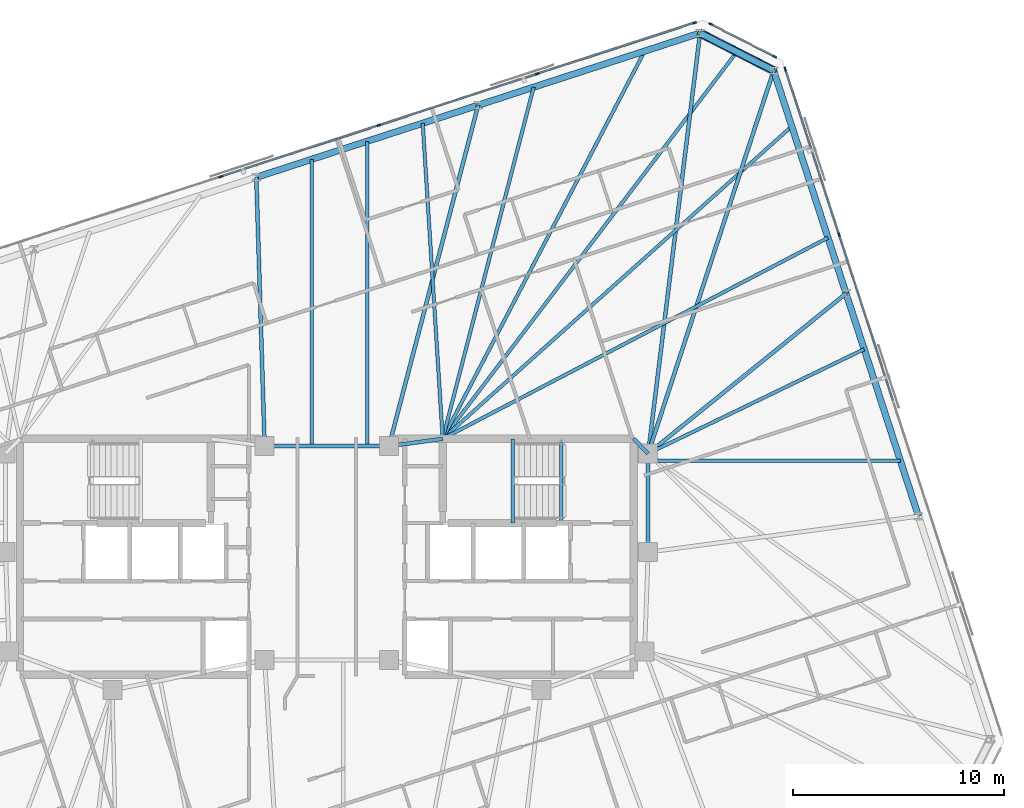
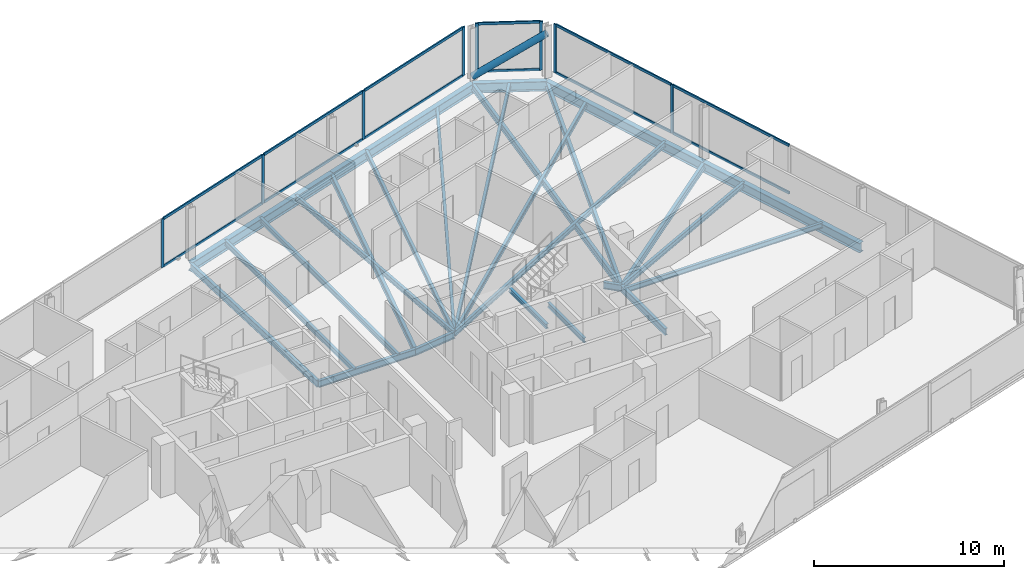
# One storey, part 10 of 20: 26 beams, 21 members, 3 elements without a shape of their own.
"""IFC4 building model written with IfcOpenShell, lengths in metres."""

from ifc_helpers import new_model, si_unit, direction, frame, origin, origin_2d, place, context, subcontext, project, spatial, rectangle, hollow_circle, i_section, extrude, material, material_profile, profile_set, type_object, element, aggregate, save


model = new_model("IFC4")

# Units and contexts
model_context = context("Model", 3, precision=1e-05, world=origin(), true_north=direction((0.0, 1.0)))
body_context = subcontext(model_context, "Body", "Model", "MODEL_VIEW")
ifc_project = project(units=[si_unit("LENGTHUNIT", "METRE"), si_unit("AREAUNIT", "SQUARE_METRE"), si_unit("VOLUMEUNIT", "CUBIC_METRE"), si_unit("PLANEANGLEUNIT", "RADIAN"), si_unit("MASSUNIT", "GRAM", prefix="KILO")], contexts=[model_context])

# Site, building, storey
site_placement = place(None, origin())
site = spatial("IfcSite", under=ifc_project, at=site_placement, CompositionType="ELEMENT")
building_placement = place(site_placement, origin())
building = spatial("IfcBuilding", under=site, at=building_placement, Name="Menara Jurai Vektor", CompositionType="ELEMENT")
storey_placement = place(building_placement, frame((0.0, 0.0, 237.699951171875)))
storey = spatial("IfcBuildingStorey", under=building, at=storey_placement, Name="L63", CompositionType="ELEMENT", Elevation=237.699951171875)

# Curtain wall, members
ifc_material_1 = material(Name="Anodised Pale Aluminium & Low-E Double Glazing", Category="aluminium")
curtain_wall_type = type_object("IfcCurtainWallType", Name="CW-BLK4", PredefinedType="NOTDEFINED", material=ifc_material_1)
curtain_wall_1_placement = place(storey_placement, origin())
curtain_wall_1 = element("IfcCurtainWall", 1, at=curtain_wall_1_placement, inside=storey, type_object=curtain_wall_type, Name="Unitised Curtain Wall L63 F03", PredefinedType="NOTDEFINED")
ifc_material_2 = material(Name="Anodised Pale Aluminium Mullion", Category="aluminium")
ifc_material_profile_1 = material_profile(ifc_material_2, rectangle(XDim=0.080078125, YDim=0.18994140625, at=origin_2d()), Name="ALU MUL 80x190")
ifc_profile_set_1 = profile_set([ifc_material_profile_1], Name="Anodised Pale Aluminium Mullion")
member_type_1 = type_object("IfcMemberType", Name="CW-BLK4-MUL", PredefinedType="MULLION", material=ifc_profile_set_1)
member_1_placement = place(storey_placement, frame((24.31494140625, 15.28271484375, 0.0), z_axis=(0.0, 0.0, 1.0), x_axis=(-0.95105668295, -0.309016481464, 0.0)))
member_1 = element("IfcMember", 2, at=member_1_placement, type_object=member_type_1, Name="CW-04 mullion 4", PredefinedType="MULLION", context=body_context, shape_type="SweptSolid", body=[
    extrude(rectangle(XDim=0.080078125, YDim=0.18994140625, at=origin_2d()), origin(), (0.0, 0.0, 1.0), 3.125),
])
member_2_placement = place(storey_placement, frame((21.75927734375, 23.14794921875, 0.0), z_axis=(0.0, 0.0, 1.0), x_axis=(-0.95105668295, -0.309016481464, 0.0)))
member_2 = element("IfcMember", 3, at=member_2_placement, type_object=member_type_1, Name="CW-04 mullion 5", PredefinedType="MULLION", context=body_context, shape_type="SweptSolid", body=[
    extrude(rectangle(XDim=0.080078125, YDim=0.18994140625, at=origin_2d()), origin(), (0.0, 0.0, 1.0), 3.125),
])

curtain_wall_2_placement = place(storey_placement, origin())
curtain_wall_2 = element("IfcCurtainWall", 4, at=curtain_wall_2_placement, inside=storey, type_object=curtain_wall_type, Name="Unitised Curtain Wall L63 F04", PredefinedType="NOTDEFINED")
member_3_placement = place(storey_placement, frame((21.25537109375, 23.73828125, 0.0), z_axis=(0.0, 0.0, 1.0), x_axis=(-0.453988579828, -0.89100750243, 0.0)))
member_3 = element("IfcMember", 5, at=member_3_placement, type_object=member_type_1, Name="CW-04 mullion 1", PredefinedType="MULLION", context=body_context, shape_type="SweptSolid", body=[
    extrude(rectangle(XDim=0.080078125, YDim=0.18994140625, at=origin_2d()), origin(), (0.0, 0.0, 1.0), 3.125),
])
member_4_placement = place(storey_placement, frame((18.223388671875, 25.282958984375, 0.0), z_axis=(0.0, 0.0, 1.0), x_axis=(-0.453988579828, -0.89100750243, 0.0)))
member_4 = element("IfcMember", 6, at=member_4_placement, type_object=member_type_1, Name="CW-04 mullion 2", PredefinedType="MULLION", context=body_context, shape_type="SweptSolid", body=[
    extrude(rectangle(XDim=0.080078125, YDim=0.18994140625, at=origin_2d()), origin(), (0.0, 0.0, 1.0), 3.125),
])

curtain_wall_3_placement = place(storey_placement, origin())
curtain_wall_3 = element("IfcCurtainWall", 7, at=curtain_wall_3_placement, inside=storey, type_object=curtain_wall_type, Name="Unitised Curtain Wall L63 F05", PredefinedType="NOTDEFINED")
member_5_placement = place(storey_placement, frame((17.44970703125, 25.34375, 0.0), z_axis=(0.0, 0.0, 1.0), x_axis=(0.309017344167, -0.951056402641, 0.0)))
member_5 = element("IfcMember", 8, at=member_5_placement, type_object=member_type_1, Name="CW-04 mullion 1", PredefinedType="MULLION", context=body_context, shape_type="SweptSolid", body=[
    extrude(rectangle(XDim=0.080078125, YDim=0.18994140625, at=origin_2d()), origin(), (0.0, 0.0, 1.0), 3.125),
])
member_6_placement = place(storey_placement, frame((9.982666015625, 22.917724609375, 0.0), z_axis=(0.0, 0.0, 1.0), x_axis=(0.309017344167, -0.951056402641, 0.0)))
member_6 = element("IfcMember", 9, at=member_6_placement, type_object=member_type_1, Name="CW-04 mullion 2", PredefinedType="MULLION", context=body_context, shape_type="SweptSolid", body=[
    extrude(rectangle(XDim=0.080078125, YDim=0.18994140625, at=origin_2d()), origin(), (0.0, 0.0, 1.0), 3.125),
])
member_7_placement = place(storey_placement, frame((2.4775390625, 20.47900390625, 0.0), z_axis=(0.0, 0.0, 1.0), x_axis=(0.309017344167, -0.951056402641, 0.0)))
member_7 = element("IfcMember", 10, at=member_7_placement, type_object=member_type_1, Name="CW-04 mullion 3", PredefinedType="MULLION", context=body_context, shape_type="SweptSolid", body=[
    extrude(rectangle(XDim=0.080078125, YDim=0.18994140625, at=origin_2d()), origin(), (0.0, 0.0, 1.0), 3.125),
])
member_8_placement = place(storey_placement, frame((-5.02783203125, 18.04052734375, 0.0), z_axis=(0.0, 0.0, 1.0), x_axis=(0.309017344167, -0.951056402641, 0.0)))
member_8 = element("IfcMember", 11, at=member_8_placement, type_object=member_type_1, Name="CW-04 mullion 4", PredefinedType="MULLION", context=body_context, shape_type="SweptSolid", body=[
    extrude(rectangle(XDim=0.080078125, YDim=0.18994140625, at=origin_2d()), origin(), (0.0, 0.0, 1.0), 3.125),
])

# Member
ifc_material_3 = material(Name="Anodised Pale Aluminium Transom", Category="aluminium")
ifc_material_profile_2 = material_profile(ifc_material_3, rectangle(XDim=0.080078125, YDim=0.1650390625, at=origin_2d()), Name="ALU TRN 80x165")
ifc_profile_set_2 = profile_set([ifc_material_profile_2], Name="Anodised Pale Aluminium Transom")
member_type_2 = type_object("IfcMemberType", Name="CW-BLK4-TRN", PredefinedType="USERDEFINED", material=ifc_profile_set_2)
member_9_placement = place(storey_placement, frame((26.870361328125, 7.41748046875, 0.0400390625), z_axis=(-0.309010276303, 0.951058699103, 0.0), x_axis=(-0.951058699103, -0.309010276303, 0.0)))
member_9 = element("IfcMember", 12, at=member_9_placement, type_object=member_type_2, Name="CW-04 transom 3.1", ObjectType="TRANSOM", PredefinedType="USERDEFINED", context=body_context, shape_type="SweptSolid", body=[
    extrude(rectangle(XDim=0.080078125, YDim=0.1650390625, at=origin_2d()), origin(), (0.0, 0.0, 1.0), 8.230224609375),
])

member_10_placement = place(storey_placement, frame((26.870361328125, 7.41748046875, 3.0849609375), z_axis=(-0.309010276303, 0.951058699103, 0.0), x_axis=(-0.951058699103, -0.309010276303, 0.0)))
member_10 = element("IfcMember", 13, at=member_10_placement, type_object=member_type_2, Name="CW-04 transom 3.2", ObjectType="TRANSOM", PredefinedType="USERDEFINED", context=body_context, shape_type="SweptSolid", body=[
    extrude(rectangle(XDim=0.080078125, YDim=0.1650390625, at=origin_2d()), origin(), (0.0, 0.0, 1.0), 8.230224609375),
])

member_11_placement = place(storey_placement, frame((24.302490234375, 15.32080078125, 0.0400390625), z_axis=(-0.309001816839, 0.951061447642, 0.0), x_axis=(-0.951061447642, -0.309001816839, 0.0)))
member_11 = element("IfcMember", 14, at=member_11_placement, type_object=member_type_2, Name="CW-04 transom 4.1", ObjectType="TRANSOM", PredefinedType="USERDEFINED", context=body_context, shape_type="SweptSolid", body=[
    extrude(rectangle(XDim=0.080078125, YDim=0.1650390625, at=origin_2d()), origin(), (0.0, 0.0, 1.0), 8.190185546875),
])

member_12_placement = place(storey_placement, frame((24.302490234375, 15.32080078125, 3.0849609375), z_axis=(-0.309001816839, 0.951061447642, 0.0), x_axis=(-0.951061447642, -0.309001816839, 0.0)))
member_12 = element("IfcMember", 15, at=member_12_placement, type_object=member_type_2, Name="CW-04 transom 4.2", ObjectType="TRANSOM", PredefinedType="USERDEFINED", context=body_context, shape_type="SweptSolid", body=[
    extrude(rectangle(XDim=0.080078125, YDim=0.1650390625, at=origin_2d()), origin(), (0.0, 0.0, 1.0), 8.190185546875),
])

aggregate(curtain_wall_1, [member_1, member_2, member_9, member_10, member_11, member_12])

member_13_placement = place(storey_placement, frame((21.2197265625, 23.75634765625, 0.0400390625), z_axis=(-0.89100697374, 0.453989617444, 0.0), x_axis=(-0.453989617444, -0.89100697374, 0.0)))
member_13 = element("IfcMember", 16, at=member_13_placement, type_object=member_type_2, Name="CW-04 transom 1.1", ObjectType="TRANSOM", PredefinedType="USERDEFINED", context=body_context, shape_type="SweptSolid", body=[
    extrude(rectangle(XDim=0.080078125, YDim=0.1650390625, at=origin_2d()), origin(), (0.0, 0.0, 1.0), 3.32275390625),
])

member_14_placement = place(storey_placement, frame((21.2197265625, 23.75634765625, 3.0849609375), z_axis=(-0.89100697374, 0.453989617444, 0.0), x_axis=(-0.453989617444, -0.89100697374, 0.0)))
member_14 = element("IfcMember", 17, at=member_14_placement, type_object=member_type_2, Name="CW-04 transom 1.2", ObjectType="TRANSOM", PredefinedType="USERDEFINED", context=body_context, shape_type="SweptSolid", body=[
    extrude(rectangle(XDim=0.080078125, YDim=0.1650390625, at=origin_2d()), origin(), (0.0, 0.0, 1.0), 3.32275390625),
])

aggregate(curtain_wall_2, [member_3, member_4, member_13, member_14])

member_15_placement = place(storey_placement, frame((17.41162109375, 25.33154296875, 0.0400390625), z_axis=(-0.951049997348, -0.309037056912, 0.0), x_axis=(0.309037056912, -0.951049997348, 0.0)))
member_15 = element("IfcMember", 18, at=member_15_placement, type_object=member_type_2, Name="CW-04 transom 1.1", ObjectType="TRANSOM", PredefinedType="USERDEFINED", context=body_context, shape_type="SweptSolid", body=[
    extrude(rectangle(XDim=0.080078125, YDim=0.1650390625, at=origin_2d()), origin(), (0.0, 0.0, 1.0), 7.771240234375),
])

member_16_placement = place(storey_placement, frame((17.41162109375, 25.33154296875, 3.0849609375), z_axis=(-0.951049997348, -0.309037056912, 0.0), x_axis=(0.309037056912, -0.951049997348, 0.0)))
member_16 = element("IfcMember", 19, at=member_16_placement, type_object=member_type_2, Name="CW-04 transom 1.2", ObjectType="TRANSOM", PredefinedType="USERDEFINED", context=body_context, shape_type="SweptSolid", body=[
    extrude(rectangle(XDim=0.080078125, YDim=0.1650390625, at=origin_2d()), origin(), (0.0, 0.0, 1.0), 7.771240234375),
])

member_17_placement = place(storey_placement, frame((9.944580078125, 22.9052734375, 0.0400390625), z_axis=(-0.951059330237, -0.309008333817, 0.0), x_axis=(0.309008333817, -0.951059330237, 0.0)))
member_17 = element("IfcMember", 20, at=member_17_placement, type_object=member_type_2, Name="CW-04 transom 2.1", ObjectType="TRANSOM", PredefinedType="USERDEFINED", context=body_context, shape_type="SweptSolid", body=[
    extrude(rectangle(XDim=0.080078125, YDim=0.1650390625, at=origin_2d()), origin(), (0.0, 0.0, 1.0), 7.8115234375),
])

member_18_placement = place(storey_placement, frame((9.944580078125, 22.9052734375, 3.0849609375), z_axis=(-0.951059330237, -0.309008333817, 0.0), x_axis=(0.309008333817, -0.951059330237, 0.0)))
member_18 = element("IfcMember", 21, at=member_18_placement, type_object=member_type_2, Name="CW-04 transom 2.2", ObjectType="TRANSOM", PredefinedType="USERDEFINED", context=body_context, shape_type="SweptSolid", body=[
    extrude(rectangle(XDim=0.080078125, YDim=0.1650390625, at=origin_2d()), origin(), (0.0, 0.0, 1.0), 7.8115234375),
])

member_19_placement = place(storey_placement, frame((2.439453125, 20.466552734375, 0.0400390625), z_axis=(-0.951059330237, -0.309008333817, 0.0), x_axis=(0.309008333817, -0.951059330237, 0.0)))
member_19 = element("IfcMember", 22, at=member_19_placement, type_object=member_type_2, Name="CW-04 transom 3.1", ObjectType="TRANSOM", PredefinedType="USERDEFINED", context=body_context, shape_type="SweptSolid", body=[
    extrude(rectangle(XDim=0.080078125, YDim=0.1650390625, at=origin_2d()), origin(), (0.0, 0.0, 1.0), 7.8115234375),
])

member_20_placement = place(storey_placement, frame((2.439453125, 20.466552734375, 3.0849609375), z_axis=(-0.951059330237, -0.309008333817, 0.0), x_axis=(0.309008333817, -0.951059330237, 0.0)))
member_20 = element("IfcMember", 23, at=member_20_placement, type_object=member_type_2, Name="CW-04 transom 3.2", ObjectType="TRANSOM", PredefinedType="USERDEFINED", context=body_context, shape_type="SweptSolid", body=[
    extrude(rectangle(XDim=0.080078125, YDim=0.1650390625, at=origin_2d()), origin(), (0.0, 0.0, 1.0), 7.8115234375),
])

aggregate(curtain_wall_3, [member_5, member_6, member_7, member_8, member_15, member_16, member_17, member_18, member_19, member_20])

# Beams
ifc_material_4 = material(Name="Steel S355", Category="steel")
ifc_material_profile_3 = material_profile(ifc_material_4, i_section(OverallWidth=0.18505859375, OverallDepth=0.429931640625, WebThickness=0.010986328125, FlangeThickness=0.01806640625, at=origin_2d()), Name="PG 430x185x76")
ifc_profile_set_3 = profile_set([ifc_material_profile_3], Name="Steel S355")
beam_type_1 = type_object("IfcBeamType", Name="STR-BM-430", PredefinedType="BEAM", material=ifc_profile_set_3)
beam_1_placement = place(storey_placement, frame((2.949951171875, 5.25, -0.43994140625), z_axis=(0.990706818608, 0.136014703483, 0.0), x_axis=(-0.136014703483, 0.990706818608, 0.0)))
element("IfcBeam", 24, at=beam_1_placement, inside=storey, type_object=beam_type_1, Name="Core Ring Header Girder L63-CHE-N1", PredefinedType="BEAM", context=body_context, shape_type="SweptSolid", body=[
    extrude(i_section(OverallWidth=0.18505859375, OverallDepth=0.429931640625, WebThickness=0.010986328125, FlangeThickness=0.01806640625, at=origin_2d()), origin(), (0.0, 0.0, 1.0), 2.573974609375),
])
beam_2_placement = place(storey_placement, frame((14.56005859375, 5.60009765625, -0.43994140625), z_axis=(0.701871936926, -0.712303154672, 0.0), x_axis=(0.712303154672, 0.701871936926, 0.0)))
element("IfcBeam", 25, at=beam_2_placement, inside=storey, type_object=beam_type_1, Name="Core Ring Header Girder L63-CHE-N2", PredefinedType="BEAM", context=body_context, shape_type="SweptSolid", body=[
    extrude(i_section(OverallWidth=0.18505859375, OverallDepth=0.429931640625, WebThickness=0.010986328125, FlangeThickness=0.01806640625, at=origin_2d()), origin(), (0.0, 0.0, 1.0), 0.98291015625),
])
beam_3_placement = place(storey_placement, frame((15.25, 0.219970703125, -0.43994140625), z_axis=(0.0, 1.0, 0.0), x_axis=(-1.0, 0.0, 0.0)))
element("IfcBeam", 26, at=beam_3_placement, inside=storey, type_object=beam_type_1, Name="Core Ring Header Girder L63-CHE-E1", PredefinedType="BEAM", context=body_context, shape_type="SweptSolid", body=[
    extrude(i_section(OverallWidth=0.18505859375, OverallDepth=0.429931640625, WebThickness=0.010986328125, FlangeThickness=0.01806640625, at=origin_2d()), origin(), (0.0, 0.0, 1.0), 4.679931640625),
])
beam_4_placement = place(storey_placement, frame((-2.949951171875, 5.25, -0.43994140625), z_axis=(1.0, 0.0, 0.0), x_axis=(0.0, 1.0, 0.0)))
element("IfcBeam", 27, at=beam_4_placement, inside=storey, type_object=beam_type_1, Name="Core Ring Header Girder L63-CC-2", PredefinedType="BEAM", context=body_context, shape_type="SweptSolid", body=[
    extrude(i_section(OverallWidth=0.18505859375, OverallDepth=0.429931640625, WebThickness=0.010986328125, FlangeThickness=0.01806640625, at=origin_2d()), origin(), (0.0, 0.0, 1.0), 5.89990234375),
])
beam_5_placement = place(storey_placement, frame((24.641845703125, 12.496826171875, -0.43994140625), z_axis=(-0.777487674144, -0.628898176619, 0.0), x_axis=(0.628898176619, -0.777487674144, 0.0)))
element("IfcBeam", 28, at=beam_5_placement, inside=storey, type_object=beam_type_1, Name="Radial Floor Girder L63-E3", PredefinedType="BEAM", context=body_context, shape_type="SweptSolid", body=[
    extrude(i_section(OverallWidth=0.18505859375, OverallDepth=0.429931640625, WebThickness=0.010986328125, FlangeThickness=0.01806640625, at=origin_2d()), origin(), (0.0, 0.0, 1.0), 12.079833984375),
])
beam_6_placement = place(storey_placement, frame((21.205810546875, 23.071044921875, -0.43994140625), z_axis=(-0.311459010005, -0.950259588263, 0.0), x_axis=(0.950259588263, -0.311459010005, 0.0)))
element("IfcBeam", 29, at=beam_6_placement, inside=storey, type_object=beam_type_1, Name="Radial Floor Girder L63-E4", PredefinedType="BEAM", context=body_context, shape_type="SweptSolid", body=[
    extrude(i_section(OverallWidth=0.18505859375, OverallDepth=0.429931640625, WebThickness=0.010986328125, FlangeThickness=0.01806640625, at=origin_2d()), origin(), (0.0, 0.0, 1.0), 19.122314453125),
])
beam_7_placement = place(storey_placement, frame((17.712890625, 24.85107421875, -0.43994140625), z_axis=(-0.122515938756, -0.99246654591, 0.0), x_axis=(0.99246654591, -0.122515938756, 0.0)))
element("IfcBeam", 30, at=beam_7_placement, inside=storey, type_object=beam_type_1, Name="Radial Floor Girder L63-N1", PredefinedType="BEAM", context=body_context, shape_type="SweptSolid", body=[
    extrude(i_section(OverallWidth=0.18505859375, OverallDepth=0.429931640625, WebThickness=0.010986328125, FlangeThickness=0.01806640625, at=origin_2d()), origin(), (0.0, 0.0, 1.0), 20.1025390625),
])
beam_8_placement = place(storey_placement, frame((7.18359375, 21.4296875, -0.43994140625), z_axis=(-0.253141463003, -0.96742927375, 0.0), x_axis=(0.96742927375, -0.253141463003, 0.0)))
element("IfcBeam", 31, at=beam_8_placement, inside=storey, type_object=beam_type_1, Name="Radial Floor Girder L63-N2", PredefinedType="BEAM", context=body_context, shape_type="SweptSolid", body=[
    extrude(i_section(OverallWidth=0.18505859375, OverallDepth=0.429931640625, WebThickness=0.010986328125, FlangeThickness=0.01806640625, at=origin_2d()), origin(), (0.0, 0.0, 1.0), 16.724365234375),
])
beam_9_placement = place(storey_placement, frame((-3.345703125, 18.008544921875, -0.43994140625), z_axis=(0.031003668991, -0.999519270704, 0.0), x_axis=(0.999519270704, 0.031003668991, 0.0)))
element("IfcBeam", 32, at=beam_9_placement, inside=storey, type_object=beam_type_1, Name="Radial Floor Girder L63-N3", PredefinedType="BEAM", context=body_context, shape_type="SweptSolid", body=[
    extrude(i_section(OverallWidth=0.18505859375, OverallDepth=0.429931640625, WebThickness=0.010986328125, FlangeThickness=0.01806640625, at=origin_2d()), origin(), (0.0, 0.0, 1.0), 12.7646484375),
])

# Member
ifc_material_5 = material(Name="Steel S460", Category="steel")
ifc_material_profile_4 = material_profile(ifc_material_5, hollow_circle(Radius=0.203125, WallThickness=0.01611328125, at=origin_2d()), Name="CHS 406.4x16")
ifc_profile_set_4 = profile_set([ifc_material_profile_4], Name="Steel S460")
member_type_3 = type_object("IfcMemberType", Name="STR-BR-406", PredefinedType="BRACE", material=ifc_profile_set_4)
member_21_placement = place(storey_placement, frame((17.712890625, 24.85107421875, 0.150146484375), z_axis=(0.740360915323, -0.377269459996, 0.556357321886), x_axis=(0.454025593397, 0.890988642206, 0.0)))
element("IfcMember", 33, at=member_21_placement, inside=storey, type_object=member_type_3, Name="Exoskeleton Corner Brace L63-2", PredefinedType="BRACE", context=body_context, shape_type="SweptSolid", body=[
    extrude(hollow_circle(Radius=0.203125, WallThickness=0.01611328125, at=origin_2d()), origin(), (0.0, 0.0, 1.0), 4.71826171875),
])

# Beams
ifc_material_profile_5 = material_profile(ifc_material_4, i_section(OverallWidth=0.1650390625, OverallDepth=0.330078125, WebThickness=0.009033203125, FlangeThickness=0.013916015625, at=origin_2d()), Name="PG 330x165x46")
ifc_profile_set_5 = profile_set([ifc_material_profile_5], Name="Steel S355")
beam_type_2 = type_object("IfcBeamType", Name="STR-JS-330", PredefinedType="JOIST", material=ifc_profile_set_5)
beam_10_placement = place(storey_placement, frame((27.218505859375, 4.56591796875, -0.389892578125), z_axis=(-1.0, 0.0, 0.0), x_axis=(0.0, -1.0, 0.0)))
element("IfcBeam", 34, at=beam_10_placement, inside=storey, type_object=beam_type_2, Name="Radial Secondary Floor Joist L63-JS11", PredefinedType="JOIST", context=body_context, shape_type="SweptSolid", body=[
    extrude(i_section(OverallWidth=0.1650390625, OverallDepth=0.330078125, WebThickness=0.009033203125, FlangeThickness=0.013916015625, at=origin_2d()), origin(), (0.0, 0.0, 1.0), 11.968505859375),
])
beam_11_placement = place(storey_placement, frame((25.500732421875, 9.853271484375, -0.389892578125), z_axis=(-0.900388578627, -0.435086666629, 0.0), x_axis=(0.435086666629, -0.900388578627, 0.0)))
element("IfcBeam", 35, at=beam_11_placement, inside=storey, type_object=beam_type_2, Name="Radial Secondary Floor Joist L63-JS12", PredefinedType="JOIST", context=body_context, shape_type="SweptSolid", body=[
    extrude(i_section(OverallWidth=0.1650390625, OverallDepth=0.330078125, WebThickness=0.009033203125, FlangeThickness=0.013916015625, at=origin_2d()), origin(), (0.0, 0.0, 1.0), 11.384765625),
])
beam_12_placement = place(storey_placement, frame((23.78271484375, 15.140380859375, -0.389892578125), z_axis=(-0.886555502614, -0.462622244153, 0.0), x_axis=(0.462622244153, -0.886555502614, 0.0)))
element("IfcBeam", 36, at=beam_12_placement, inside=storey, type_object=beam_type_2, Name="Radial Secondary Floor Joist L63-JS13", PredefinedType="JOIST", context=body_context, shape_type="SweptSolid", body=[
    extrude(i_section(OverallWidth=0.1650390625, OverallDepth=0.330078125, WebThickness=0.009033203125, FlangeThickness=0.013916015625, at=origin_2d()), origin(), (0.0, 0.0, 1.0), 20.6220703125),
])
beam_13_placement = place(storey_placement, frame((22.06494140625, 20.427490234375, -0.389892578125), z_axis=(-0.745104297608, -0.666947963252, 0.0), x_axis=(0.666947963252, -0.745104297608, 0.0)))
element("IfcBeam", 37, at=beam_13_placement, inside=storey, type_object=beam_type_2, Name="Radial Secondary Floor Joist L63-JS14", PredefinedType="JOIST", context=body_context, shape_type="SweptSolid", body=[
    extrude(i_section(OverallWidth=0.1650390625, OverallDepth=0.330078125, WebThickness=0.009033203125, FlangeThickness=0.013916015625, at=origin_2d()), origin(), (0.0, 0.0, 1.0), 22.231689453125),
])
beam_14_placement = place(storey_placement, frame((19.45947265625, 23.9609375, -0.389892578125), z_axis=(-0.605227110118, -0.796052853257, 0.0), x_axis=(0.796052853257, -0.605227110118, 0.0)))
element("IfcBeam", 38, at=beam_14_placement, inside=storey, type_object=beam_type_2, Name="Radial Secondary Floor Joist L63-JS15", PredefinedType="JOIST", context=body_context, shape_type="SweptSolid", body=[
    extrude(i_section(OverallWidth=0.1650390625, OverallDepth=0.330078125, WebThickness=0.009033203125, FlangeThickness=0.013916015625, at=origin_2d()), origin(), (0.0, 0.0, 1.0), 23.06494140625),
])
beam_15_placement = place(storey_placement, frame((15.08056640625, 23.99560546875, -0.389892578125), z_axis=(-0.461918215026, -0.886922523464, 0.0), x_axis=(0.886922523464, -0.461918215026, 0.0)))
element("IfcBeam", 39, at=beam_15_placement, inside=storey, type_object=beam_type_2, Name="Radial Secondary Floor Joist L63-JS16", PredefinedType="JOIST", context=body_context, shape_type="SweptSolid", body=[
    extrude(i_section(OverallWidth=0.1650390625, OverallDepth=0.330078125, WebThickness=0.009033203125, FlangeThickness=0.013916015625, at=origin_2d()), origin(), (0.0, 0.0, 1.0), 20.74072265625),
])
beam_16_placement = place(storey_placement, frame((9.81591796875, 22.28515625, -0.389892578125), z_axis=(-0.250427234151, -0.968135424616, 0.0), x_axis=(0.968135424616, -0.250427234151, 0.0)))
element("IfcBeam", 40, at=beam_16_placement, inside=storey, type_object=beam_type_2, Name="Radial Secondary Floor Joist L63-JS17", PredefinedType="JOIST", context=body_context, shape_type="SweptSolid", body=[
    extrude(i_section(OverallWidth=0.1650390625, OverallDepth=0.330078125, WebThickness=0.009033203125, FlangeThickness=0.013916015625, at=origin_2d()), origin(), (0.0, 0.0, 1.0), 17.234130859375),
])
beam_17_placement = place(storey_placement, frame((4.55126953125, 20.574462890625, -0.389892578125), z_axis=(0.063230194737, -0.997998969175, 0.0), x_axis=(0.997998969175, 0.063230194737, 0.0)))
element("IfcBeam", 41, at=beam_17_placement, inside=storey, type_object=beam_type_2, Name="Radial Secondary Floor Joist L63-JS18", PredefinedType="JOIST", context=body_context, shape_type="SweptSolid", body=[
    extrude(i_section(OverallWidth=0.1650390625, OverallDepth=0.330078125, WebThickness=0.009033203125, FlangeThickness=0.013916015625, at=origin_2d()), origin(), (0.0, 0.0, 1.0), 15.00439453125),
])
beam_18_placement = place(storey_placement, frame((1.9189453125, 19.71923828125, -0.389892578125), z_axis=(0.0, -1.0, 0.0), x_axis=(1.0, 0.0, 0.0)))
element("IfcBeam", 42, at=beam_18_placement, inside=storey, type_object=beam_type_2, Name="Radial Secondary Floor Joist L63-JS19", PredefinedType="JOIST", context=body_context, shape_type="SweptSolid", body=[
    extrude(i_section(OverallWidth=0.1650390625, OverallDepth=0.330078125, WebThickness=0.009033203125, FlangeThickness=0.013916015625, at=origin_2d()), origin(), (0.0, 0.0, 1.0), 14.46923828125),
])
beam_19_placement = place(storey_placement, frame((-0.71337890625, 18.864013671875, -0.389892578125), z_axis=(0.0, -1.0, 0.0), x_axis=(1.0, 0.0, 0.0)))
element("IfcBeam", 43, at=beam_19_placement, inside=storey, type_object=beam_type_2, Name="Radial Secondary Floor Joist L63-JS20", PredefinedType="JOIST", context=body_context, shape_type="SweptSolid", body=[
    extrude(i_section(OverallWidth=0.1650390625, OverallDepth=0.330078125, WebThickness=0.009033203125, FlangeThickness=0.013916015625, at=origin_2d()), origin(), (0.0, 0.0, 1.0), 13.614013671875),
])
ifc_material_profile_6 = material_profile(ifc_material_4, i_section(OverallWidth=0.1650390625, OverallDepth=0.302978515625, WebThickness=0.006103515625, FlangeThickness=0.010009765625, FilletRadius=0.009033203125, at=origin_2d()), Name="UKB 305x165x40")
ifc_profile_set_6 = profile_set([ifc_material_profile_6], Name="Steel S355")
beam_type_3 = type_object("IfcBeamType", Name="STR-LN-305", PredefinedType="LINTEL", material=ifc_profile_set_6)
beam_20_placement = place(storey_placement, frame((11.1201171875, 1.60009765625, -0.37646484375), z_axis=(0.0, 1.0, 0.0), x_axis=(-1.0, 0.0, 0.0)))
element("IfcBeam", 44, at=beam_20_placement, inside=storey, type_object=beam_type_3, Name="Stair Well Floor Trimmer ST2 L63", PredefinedType="LINTEL", context=body_context, shape_type="SweptSolid", body=[
    extrude(i_section(OverallWidth=0.1650390625, OverallDepth=0.302978515625, WebThickness=0.006103515625, FlangeThickness=0.010009765625, FilletRadius=0.009033203125, at=origin_2d()), origin(), (0.0, 0.0, 1.0), 3.81982421875),
])
beam_21_placement = place(storey_placement, frame((8.830078125, 1.60009765625, 1.323486328125), z_axis=(0.0, 1.0, 0.0), x_axis=(-1.0, 0.0, 0.0)))
element("IfcBeam", 45, at=beam_21_placement, inside=storey, type_object=beam_type_3, Name="Stair Half-Landing Nosing Trimmer ST2-1 L63", PredefinedType="LINTEL", context=body_context, shape_type="SweptSolid", body=[
    extrude(i_section(OverallWidth=0.1650390625, OverallDepth=0.302978515625, WebThickness=0.006103515625, FlangeThickness=0.010009765625, FilletRadius=0.009033203125, at=origin_2d()), origin(), (0.0, 0.0, 1.0), 4.0),
])
ifc_material_profile_7 = material_profile(ifc_material_4, i_section(OverallWidth=0.306884765625, OverallDepth=0.6201171875, WebThickness=0.013916015625, FlangeThickness=0.02392578125, FilletRadius=0.01708984375, at=origin_2d()), Name="UKB 610x305x179")
ifc_profile_set_7 = profile_set([ifc_material_profile_7], Name="Steel S355")
beam_type_4 = type_object("IfcBeamType", Name="STR-SP-610", PredefinedType="SPANDREL", material=ifc_profile_set_7)
beam_22_placement = place(storey_placement, frame((28.07763671875, 1.92236328125, -0.534912109375), z_axis=(-0.309012092614, 0.95105810896, 0.0), x_axis=(-0.95105810896, -0.309012092614, 0.0)))
element("IfcBeam", 46, at=beam_22_placement, inside=storey, type_object=beam_type_4, Name="Exoskeleton Spandrel Beam L63-08", PredefinedType="SPANDREL", context=body_context, shape_type="SweptSolid", body=[
    extrude(i_section(OverallWidth=0.306884765625, OverallDepth=0.6201171875, WebThickness=0.013916015625, FlangeThickness=0.02392578125, FilletRadius=0.01708984375, at=origin_2d()), origin(), (0.0, 0.0, 1.0), 11.11865234375),
])
beam_23_placement = place(storey_placement, frame((24.641845703125, 12.496826171875, -0.534912109375), z_axis=(-0.309038407092, 0.951049558615, 0.0), x_axis=(-0.951049558615, -0.309038407092, 0.0)))
element("IfcBeam", 47, at=beam_23_placement, inside=storey, type_object=beam_type_4, Name="Exoskeleton Spandrel Beam L63-09", PredefinedType="SPANDREL", context=body_context, shape_type="SweptSolid", body=[
    extrude(i_section(OverallWidth=0.306884765625, OverallDepth=0.6201171875, WebThickness=0.013916015625, FlangeThickness=0.02392578125, FilletRadius=0.01708984375, at=origin_2d()), origin(), (0.0, 0.0, 1.0), 11.118408203125),
])
beam_24_placement = place(storey_placement, frame((21.205810546875, 23.071044921875, -0.534912109375), z_axis=(-0.890975804423, 0.454050785633, 0.0), x_axis=(-0.454050785633, -0.890975804423, 0.0)))
element("IfcBeam", 48, at=beam_24_placement, inside=storey, type_object=beam_type_4, Name="Exoskeleton Spandrel Beam L63-10", PredefinedType="SPANDREL", context=body_context, shape_type="SweptSolid", body=[
    extrude(i_section(OverallWidth=0.306884765625, OverallDepth=0.6201171875, WebThickness=0.013916015625, FlangeThickness=0.02392578125, FilletRadius=0.01708984375, at=origin_2d()), origin(), (0.0, 0.0, 1.0), 3.92041015625),
])
beam_25_placement = place(storey_placement, frame((17.712890625, 24.85107421875, -0.534912109375), z_axis=(-0.951050920942, -0.309034214572, 0.0), x_axis=(0.309034214572, -0.951050920942, 0.0)))
element("IfcBeam", 49, at=beam_25_placement, inside=storey, type_object=beam_type_4, Name="Exoskeleton Spandrel Beam L63-11", PredefinedType="SPANDREL", context=body_context, shape_type="SweptSolid", body=[
    extrude(i_section(OverallWidth=0.306884765625, OverallDepth=0.6201171875, WebThickness=0.013916015625, FlangeThickness=0.02392578125, FilletRadius=0.01708984375, at=origin_2d()), origin(), (0.0, 0.0, 1.0), 11.0712890625),
])
beam_26_placement = place(storey_placement, frame((7.18359375, 21.4296875, -0.534912109375), z_axis=(-0.951057401967, -0.309014268544, 0.0), x_axis=(0.309014268544, -0.951057401967, 0.0)))
element("IfcBeam", 50, at=beam_26_placement, inside=storey, type_object=beam_type_4, Name="Exoskeleton Spandrel Beam L63-12", PredefinedType="SPANDREL", context=body_context, shape_type="SweptSolid", body=[
    extrude(i_section(OverallWidth=0.306884765625, OverallDepth=0.6201171875, WebThickness=0.013916015625, FlangeThickness=0.02392578125, FilletRadius=0.01708984375, at=origin_2d()), origin(), (0.0, 0.0, 1.0), 11.071044921875),
])

save(model, "model.ifc")
